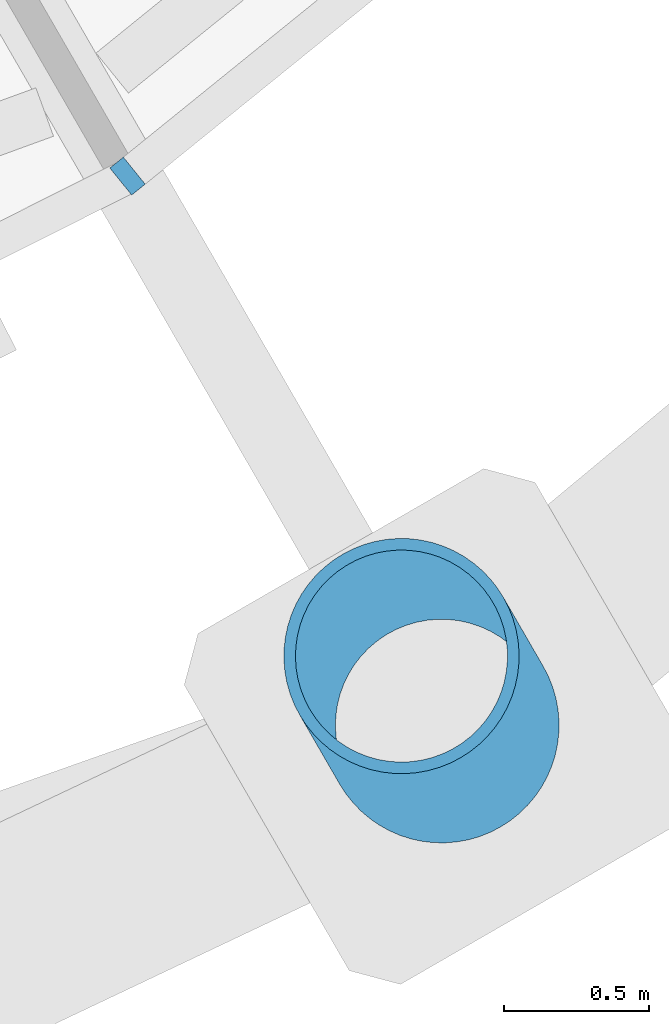
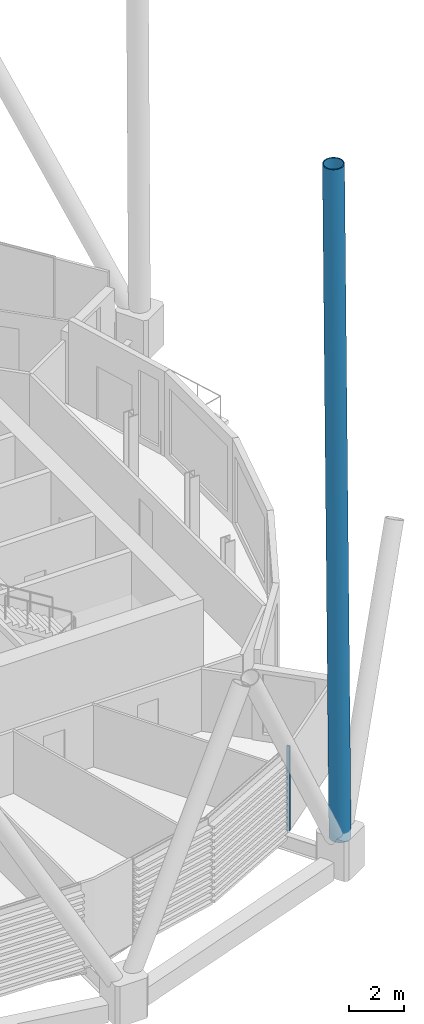
# One storey, part 18 of 39: 2 members, 1 element without a shape of its own.
"""IFC4 building model written with IfcOpenShell, lengths in metres."""

from ifc_helpers import new_model, si_unit, direction, frame, origin, origin_2d, place, context, subcontext, project, spatial, rectangle, hollow_circle, extrude, material, material_profile, profile_set, type_object, element, aggregate, save


model = new_model("IFC4")

# Units and contexts
model_context = context("Model", 3, precision=1e-05, world=origin(), true_north=direction((0.0, 1.0)))
body_context = subcontext(model_context, "Body", "Model", "MODEL_VIEW")
ifc_project = project(units=[si_unit("LENGTHUNIT", "METRE"), si_unit("AREAUNIT", "SQUARE_METRE"), si_unit("VOLUMEUNIT", "CUBIC_METRE"), si_unit("PLANEANGLEUNIT", "RADIAN"), si_unit("MASSUNIT", "GRAM", prefix="KILO")], contexts=[model_context])

# Site, building, storey
site_placement = place(None, origin())
site = spatial("IfcSite", under=ifc_project, at=site_placement, CompositionType="ELEMENT")
building_placement = place(site_placement, origin())
building = spatial("IfcBuilding", under=site, at=building_placement, Name="Rimbun Link Towers", CompositionType="ELEMENT")
storey_placement = place(building_placement, frame((0.0, 0.0, 115.800048828125)))
storey = spatial("IfcBuildingStorey", under=building, at=storey_placement, Name="L28", CompositionType="ELEMENT", Elevation=115.800048828125)

# Curtain wall, member
ifc_material_1 = material(Name="Aluminium 6063-T6 and low-iron glass", Category="aluminium")
curtain_wall_type = type_object("IfcCurtainWallType", Name="CW1-Z2 unitised vision wall (zone 2)", PredefinedType="NOTDEFINED", material=ifc_material_1)
curtain_wall_placement = place(storey_placement, origin())
curtain_wall = element("IfcCurtainWall", 1, at=curtain_wall_placement, inside=storey, type_object=curtain_wall_type, Name="CW1 L28 T2", PredefinedType="NOTDEFINED")
ifc_material_2 = material(Name="Aluminium 6063-T6", Category="aluminium")
ifc_material_profile_1 = material_profile(ifc_material_2, rectangle(XDim=0.1201171875, YDim=0.06005859375, at=origin_2d()), Name="MULLION 60X120")
ifc_profile_set_1 = profile_set([ifc_material_profile_1], Name="Aluminium 6063-T6")
member_type_1 = type_object("IfcMemberType", Name="CW1 mullion 60X120", PredefinedType="MULLION", material=ifc_profile_set_1)
member_1_placement = place(storey_placement, frame((42.157958984375, -18.00830078125, 0.0), z_axis=(0.0, 0.0, 1.0), x_axis=(0.62915825639, -0.777277227517, 0.0)))
member_1 = element("IfcMember", 2, at=member_1_placement, type_object=member_type_1, Name="CW1 mullion", PredefinedType="MULLION", context=body_context, shape_type="SweptSolid", body=[
    extrude(rectangle(XDim=0.1201171875, YDim=0.06005859375, at=origin_2d()), origin(), (0.0, 0.0, 1.0), 3.800048828125),
])
aggregate(curtain_wall, [member_1])

# Member
ifc_material_3 = material(Name="Steel S460NH", Category="steel")
ifc_material_profile_2 = material_profile(ifc_material_3, hollow_circle(Radius=0.406494140625, WallThickness=0.0400390625, at=origin_2d()), Name="Slot edge CHS 813x40")
ifc_profile_set_2 = profile_set([ifc_material_profile_2], Name="Steel S460NH")
member_type_2 = type_object("IfcMemberType", Name="Slot edge CHS 813x40", PredefinedType="BRACE", material=ifc_profile_set_2)
member_2_placement = place(storey_placement, frame((43.242919921875, -19.90625, 0.5), z_axis=(-0.004605924456, 0.007974922203, 0.999957592139), x_axis=(-0.865950118807, -0.50013037474, 0.0)))
element("IfcMember", 3, at=member_2_placement, inside=storey, type_object=member_type_2, Name="Slot edge T2 L28-L35 17", PredefinedType="BRACE", context=body_context, shape_type="SweptSolid", body=[
    extrude(hollow_circle(Radius=0.406494140625, WallThickness=0.0400390625, at=origin_2d()), origin(), (0.0, 0.0, 1.0), 30.001220703125),
])

save(model, "model.ifc")
